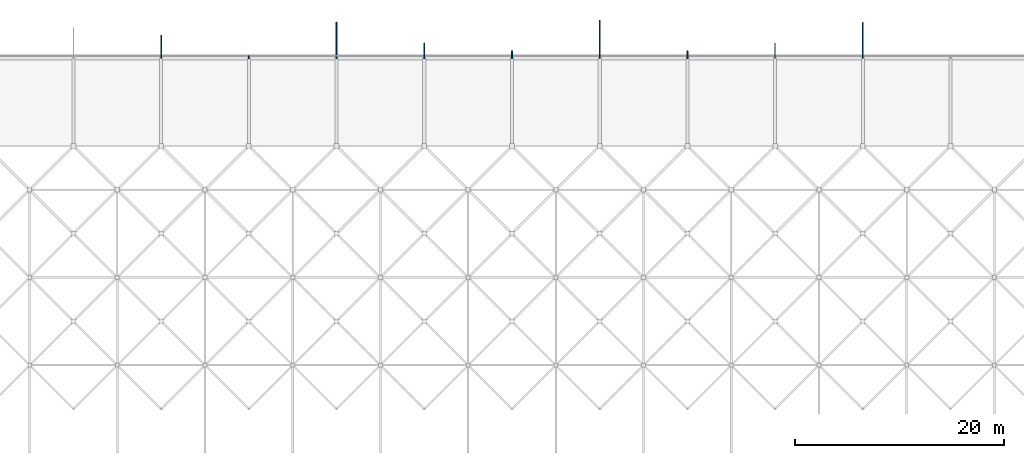
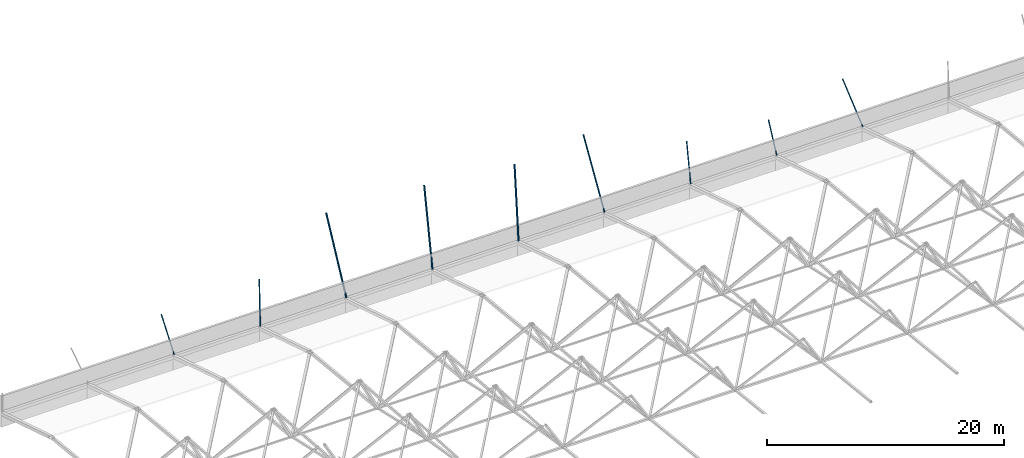
# One storey, part 50 of 85: 9 discrete accessories.
"""IFC4 building model written with IfcOpenShell, lengths in metres."""

from ifc_helpers import new_model, si_unit, direction, frame, origin, origin_2d, place, context, subcontext, project, spatial, hollow_circle, extrude, material, material_profile, profile_set, type_object, element, save


model = new_model("IFC4")

# Units and contexts
model_context = context("Model", 3, precision=1e-05, world=origin(), true_north=direction((0.0, 1.0)))
body_context = subcontext(model_context, "Body", "Model", "MODEL_VIEW")
ifc_project = project(units=[si_unit("LENGTHUNIT", "METRE"), si_unit("AREAUNIT", "SQUARE_METRE"), si_unit("VOLUMEUNIT", "CUBIC_METRE"), si_unit("PLANEANGLEUNIT", "RADIAN"), si_unit("MASSUNIT", "GRAM", prefix="KILO")], contexts=[model_context])

# Site, building, storey
site_placement = place(None, origin())
site = spatial("IfcSite", under=ifc_project, at=site_placement, CompositionType="ELEMENT")
building_placement = place(site_placement, origin())
building = spatial("IfcBuilding", under=site, at=building_placement, Name="Rain Tree Exposition and Congress Centre", CompositionType="ELEMENT")
storey_placement = place(building_placement, frame((0.0, 0.0, 15.0)))
storey = spatial("IfcBuildingStorey", under=building, at=storey_placement, Name="L03", CompositionType="ELEMENT", Elevation=15.0)

# Discrete accessories
ifc_material_1 = material(Name="Steel S355J2H", Category="steel")
ifc_material_profile_1 = material_profile(ifc_material_1, hollow_circle(Radius=0.05712890625, WallThickness=0.00439453125, at=origin_2d()), Name="CHS 114x4.5")
ifc_profile_set_1 = profile_set([ifc_material_profile_1], Name="Steel S355J2H")
discrete_accessory_type_1 = type_object("IfcDiscreteAccessoryType", Name="Roof skin post CHS 114x4.5", PredefinedType="BRACKET", material=ifc_profile_set_1)
discrete_accessory_1_placement = place(storey_placement, frame((25.199951171875, 201.60009765625, 3.0), z_axis=(0.0, 0.606710260942, 0.79492305242), x_axis=(-1.0, 0.0, 0.0)))
element("IfcDiscreteAccessory", 1, at=discrete_accessory_1_placement, inside=storey, type_object=discrete_accessory_type_1, Name="Roof skin post A183", PredefinedType="BRACKET", context=body_context, shape_type="SweptSolid", body=[
    extrude(hollow_circle(Radius=0.05712890625, WallThickness=0.00439453125, at=origin_2d()), origin(), (0.0, 0.0, 1.0), 3.626953125),
])
discrete_accessory_2_placement = place(storey_placement, frame((33.60009765625, 201.60009765625, 3.0), z_axis=(0.0, 0.03759064475, 0.999293221946), x_axis=(-1.0, 0.0, 0.0)))
element("IfcDiscreteAccessory", 2, at=discrete_accessory_2_placement, inside=storey, type_object=discrete_accessory_type_1, Name="Roof skin post A184", PredefinedType="BRACKET", context=body_context, shape_type="SweptSolid", body=[
    extrude(hollow_circle(Radius=0.05712890625, WallThickness=0.00439453125, at=origin_2d()), origin(), (0.0, 0.0, 1.0), 4.7412109375),
])
discrete_accessory_3_placement = place(storey_placement, frame((75.60009765625, 201.60009765625, 3.0), z_axis=(0.0, 0.168201653245, 0.985752607831), x_axis=(-1.0, 0.0, 0.0)))
element("IfcDiscreteAccessory", 3, at=discrete_accessory_3_placement, inside=storey, type_object=discrete_accessory_type_1, Name="Roof skin post A189", PredefinedType="BRACKET", context=body_context, shape_type="SweptSolid", body=[
    extrude(hollow_circle(Radius=0.05712890625, WallThickness=0.00439453125, at=origin_2d()), origin(), (0.0, 0.0, 1.0), 4.02783203125),
])
discrete_accessory_4_placement = place(storey_placement, frame((84.0, 201.60009765625, 3.0), z_axis=(0.0, 0.443065685127, 0.896489151448), x_axis=(-1.0, 0.0, 0.0)))
element("IfcDiscreteAccessory", 4, at=discrete_accessory_4_placement, inside=storey, type_object=discrete_accessory_type_1, Name="Roof skin post A190", PredefinedType="BRACKET", context=body_context, shape_type="SweptSolid", body=[
    extrude(hollow_circle(Radius=0.05712890625, WallThickness=0.00439453125, at=origin_2d()), origin(), (0.0, 0.0, 1.0), 3.158447265625),
])
discrete_accessory_5_placement = place(storey_placement, frame((92.39990234375, 201.60009765625, 3.0), z_axis=(0.0, 0.765182966796, 0.64381288223), x_axis=(-1.0, 0.0, 0.0)))
element("IfcDiscreteAccessory", 5, at=discrete_accessory_5_placement, inside=storey, type_object=discrete_accessory_type_1, Name="Roof skin post A191", PredefinedType="BRACKET", context=body_context, shape_type="SweptSolid", body=[
    extrude(hollow_circle(Radius=0.05712890625, WallThickness=0.00439453125, at=origin_2d()), origin(), (0.0, 0.0, 1.0), 4.4716796875),
])
ifc_material_2 = material(Name="Steel S355J2H", Category="steel")
ifc_material_profile_2 = material_profile(ifc_material_2, hollow_circle(Radius=0.06982421875, WallThickness=0.0048828125, at=origin_2d()), Name="CHS 140x5")
ifc_profile_set_2 = profile_set([ifc_material_profile_2], Name="Steel S355J2H")
discrete_accessory_type_2 = type_object("IfcDiscreteAccessoryType", Name="Roof skin post CHS 140x5", PredefinedType="BRACKET", material=ifc_profile_set_2)
discrete_accessory_6_placement = place(storey_placement, frame((67.199951171875, 201.60009765625, 3.0), z_axis=(0.0, 0.523394174931, 0.852090686282), x_axis=(-1.0, 0.0, 0.0)))
element("IfcDiscreteAccessory", 6, at=discrete_accessory_6_placement, inside=storey, type_object=discrete_accessory_type_2, Name="Roof skin post A188", PredefinedType="BRACKET", context=body_context, shape_type="SweptSolid", body=[
    extrude(hollow_circle(Radius=0.06982421875, WallThickness=0.0048828125, at=origin_2d()), origin(), (0.0, 0.0, 1.0), 6.8779296875),
])
ifc_material_3 = material(Name="Steel S355J2H", Category="steel")
ifc_material_profile_3 = material_profile(ifc_material_3, hollow_circle(Radius=0.084228515625, WallThickness=0.006103515625, at=origin_2d()), Name="CHS 168x6")
ifc_profile_set_3 = profile_set([ifc_material_profile_3], Name="Steel S355J2H")
discrete_accessory_type_3 = type_object("IfcDiscreteAccessoryType", Name="Roof skin post CHS 168x6", PredefinedType="BRACKET", material=ifc_profile_set_3)
discrete_accessory_7_placement = place(storey_placement, frame((42.0, 201.60009765625, 3.0), z_axis=(0.0, 0.454252517259, 0.890872971059), x_axis=(-1.0, 0.0, 0.0)))
element("IfcDiscreteAccessory", 7, at=discrete_accessory_7_placement, inside=storey, type_object=discrete_accessory_type_3, Name="Roof skin post A185", PredefinedType="BRACKET", context=body_context, shape_type="SweptSolid", body=[
    extrude(hollow_circle(Radius=0.084228515625, WallThickness=0.006103515625, at=origin_2d()), origin(), (0.0, 0.0, 1.0), 7.532470703125),
])
discrete_accessory_8_placement = place(storey_placement, frame((50.39990234375, 201.60009765625, 3.0), z_axis=(0.0, 0.176116033451, 0.984369413768), x_axis=(-1.0, 0.0, 0.0)))
element("IfcDiscreteAccessory", 8, at=discrete_accessory_8_placement, inside=storey, type_object=discrete_accessory_type_3, Name="Roof skin post A186", PredefinedType="BRACKET", context=body_context, shape_type="SweptSolid", body=[
    extrude(hollow_circle(Radius=0.084228515625, WallThickness=0.006103515625, at=origin_2d()), origin(), (0.0, 0.0, 1.0), 7.946044921875),
])
discrete_accessory_9_placement = place(storey_placement, frame((58.800048828125, 201.60009765625, 3.0), z_axis=(0.0, 0.090418232424, 0.995903882534), x_axis=(-1.0, 0.0, 0.0)))
element("IfcDiscreteAccessory", 9, at=discrete_accessory_9_placement, inside=storey, type_object=discrete_accessory_type_3, Name="Roof skin post A187", PredefinedType="BRACKET", context=body_context, shape_type="SweptSolid", body=[
    extrude(hollow_circle(Radius=0.084228515625, WallThickness=0.006103515625, at=origin_2d()), origin(), (0.0, 0.0, 1.0), 7.492919921875),
])

save(model, "model.ifc")
